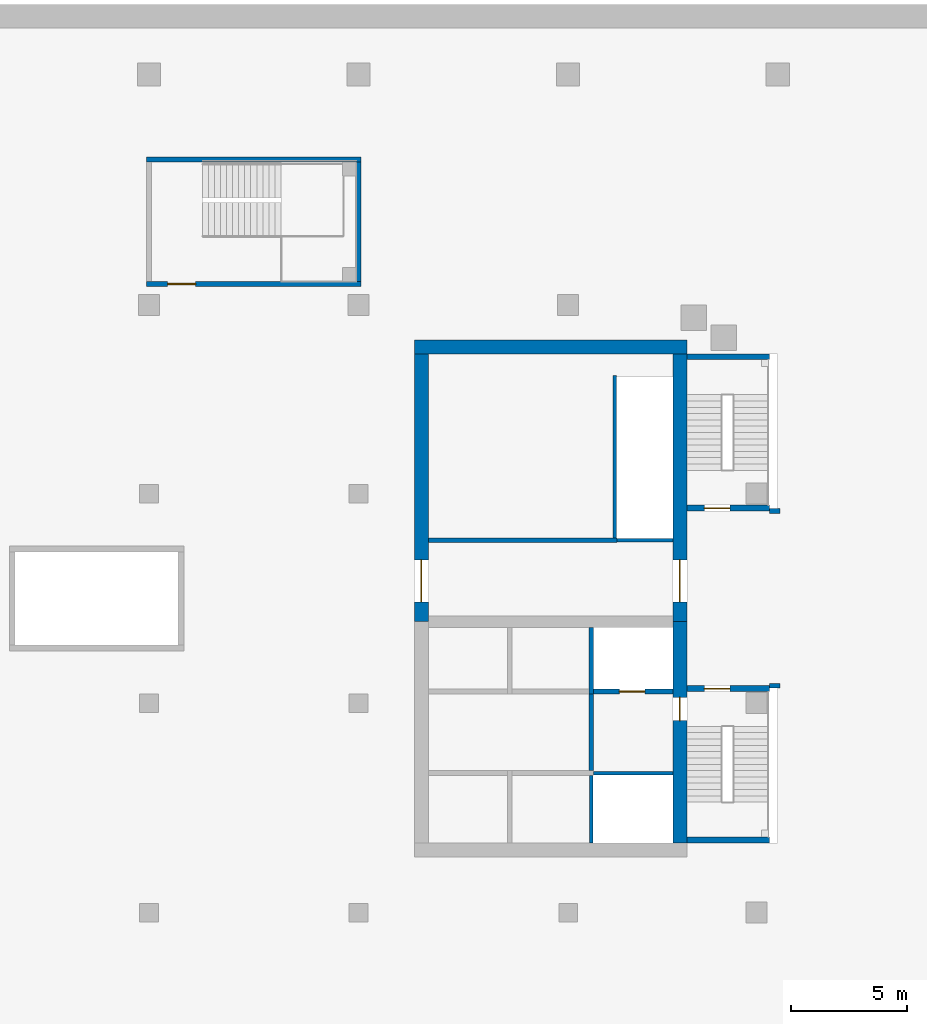
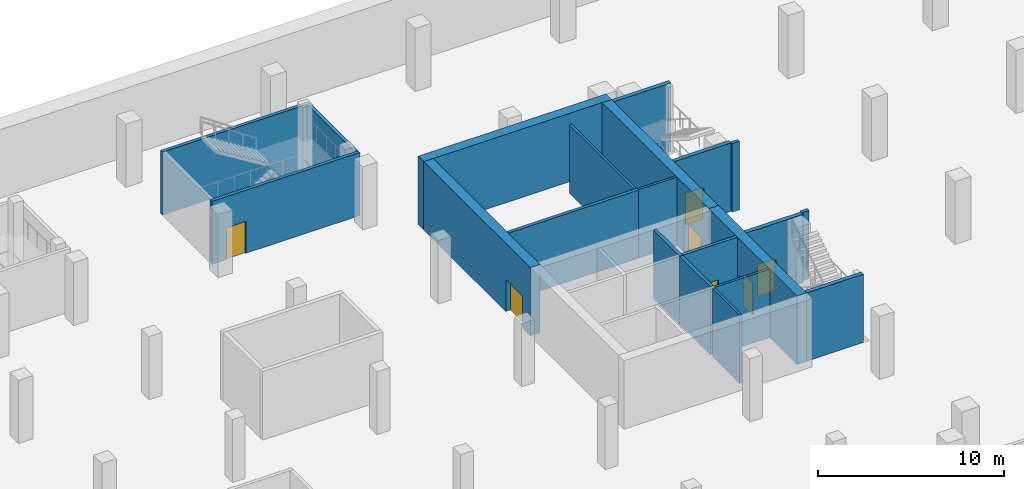
# One storey, part 5 of 16: 21 walls, 7 doors, 7 openings.
"""IFC4 building model written with IfcOpenShell, lengths in metres."""

import ifcopenshell
import ifcopenshell.guid

model = None  # the IFC model being written
_history = None  # IfcOwnerHistory: only IFC2X3 demands one
_inside = {}  # id of a spatial element -> (the spatial element, [elements in it])
_under = {}  # id of a project, library or spatial element -> (it, [spatial elements below it])
_declared = {}  # id of a project -> (the project, [libraries it declares])
_typed = {}  # id of a type object -> (the type object, [elements of that type])
_made_of = {}  # id of a material, layer set ... -> (it, [elements and type objects made of it])


def new_model(schema):
    """Start an empty IFC model of exactly this schema.

    Asked for "IFC4X3", IfcOpenShell would pick the latest addendum, in which some entities
    have other attributes; the version numbers below select the first issue.
    IFC2X3 requires an IfcOwnerHistory on every rooted entity: one is made here for all.
    """
    global model, _history
    if schema == "IFC4X3":
        model = ifcopenshell.file(schema_version=(4, 3, 0, 0))
    else:
        model = ifcopenshell.file(schema=schema)
    _inside.clear()
    _under.clear()
    _declared.clear()
    _typed.clear()
    _made_of.clear()
    _history = None
    if model.schema == "IFC2X3":
        org = make("IfcOrganization", Name="unknown")
        user = make(
            "IfcPersonAndOrganization",
            ThePerson=make("IfcPerson", FamilyName="unknown"),
            TheOrganization=org,
        )
        app = make(
            "IfcApplication",
            ApplicationDeveloper=org,
            Version="unknown",
            ApplicationFullName="unknown",
            ApplicationIdentifier="unknown",
        )
        _history = make(
            "IfcOwnerHistory",
            OwningUser=user,
            OwningApplication=app,
            ChangeAction="ADDED",
            CreationDate=0,
        )
    return model


def make(cls, **values):
    """One entity of the class cls with the attributes given. An attribute that is None is left unset."""
    return model.create_entity(
        cls, **{name: value for name, value in values.items() if value is not None}
    )


def rooted(cls, **values):
    """An entity with a GlobalId (a new one), such as an element, a storey or a relation."""
    return make(cls, GlobalId=ifcopenshell.guid.new(), OwnerHistory=_history, **values)


def si_unit(unit_type, name, prefix=None):
    """IfcSIUnit, for example si_unit("LENGTHUNIT", "METRE", prefix="MILLI")."""
    return make("IfcSIUnit", UnitType=unit_type, Prefix=prefix, Name=name)


def assignment(units):
    """IfcUnitAssignment: the units of a project."""
    return None if units is None else make("IfcUnitAssignment", Units=units)


def point(xyz):
    """IfcCartesianPoint."""
    return None if xyz is None else make("IfcCartesianPoint", Coordinates=xyz)


def direction(xyz):
    """IfcDirection."""
    return None if xyz is None else make("IfcDirection", DirectionRatios=xyz)


def frame(location, z_axis=None, x_axis=None):
    """IfcAxis2Placement3D, a coordinate frame: its origin and axes. An axis left out is left unset."""
    return make(
        "IfcAxis2Placement3D",
        Location=point(location),
        Axis=direction(z_axis),
        RefDirection=direction(x_axis),
    )


def frame_2d(location, x_axis=None):
    """IfcAxis2Placement2D, a coordinate frame in the plane: its origin and x axis."""
    return make(
        "IfcAxis2Placement2D", Location=point(location), RefDirection=direction(x_axis)
    )


def origin():
    """The frame at (0, 0, 0) with its axes left unset."""
    return frame((0.0, 0.0, 0.0))


def place(relative_to, where):
    """IfcLocalPlacement: puts the frame where relative to a parent placement (None: the world)."""
    return make(
        "IfcLocalPlacement", PlacementRelTo=relative_to, RelativePlacement=where
    )


def context(
    kind, dimensions, precision=None, world=None, true_north=None, identifier=None
):
    """IfcGeometricRepresentationContext, for example the 3D "Model" context."""
    return make(
        "IfcGeometricRepresentationContext",
        ContextIdentifier=identifier,
        ContextType=kind,
        CoordinateSpaceDimension=dimensions,
        Precision=precision,
        WorldCoordinateSystem=world,
        TrueNorth=true_north,
    )


def subcontext(parent, identifier, kind, view, scale=None):
    """IfcGeometricRepresentationSubContext, for example "Body" below "Model"."""
    return make(
        "IfcGeometricRepresentationSubContext",
        ContextIdentifier=identifier,
        ContextType=kind,
        ParentContext=parent,
        TargetScale=scale,
        TargetView=view,
    )


def project(units=None, contexts=None):
    """IfcProject with its units and contexts."""
    return rooted(
        "IfcProject",
        Name="project",
        RepresentationContexts=contexts,
        UnitsInContext=assignment(units),
    )


def spatial(cls, under=None, at=None, **own):
    """A site, building, storey or space (cls), placed at a placement, below another one or the project."""
    s = rooted(cls, ObjectPlacement=at, **own)
    if under is not None:
        _under.setdefault(under.id(), (under, []))[1].append(s)
    return s


def profile(cls, at=None, kind="AREA", **sizes):
    """A parametric profile (cls). Its sizes go by their IFC names, for example OverallWidth=200.0."""
    return make(cls, ProfileType=kind, Position=at, **sizes)


def rectangle(**sizes):
    """IfcRectangleProfileDef."""
    return profile("IfcRectangleProfileDef", **sizes)


def extrude(swept, where, along, depth):
    """IfcExtrudedAreaSolid: the profile swept, set in the frame where, extruded along a direction by depth."""
    return make(
        "IfcExtrudedAreaSolid",
        SweptArea=swept,
        Position=where,
        ExtrudedDirection=direction(along),
        Depth=depth,
    )


def shape(context_of_items, identifier, shape_type, items):
    """IfcShapeRepresentation: the items that make up one representation, for example the "Body"."""
    return make(
        "IfcShapeRepresentation",
        ContextOfItems=context_of_items,
        RepresentationIdentifier=identifier,
        RepresentationType=shape_type,
        Items=items,
    )


def material(Name=None, Category=None):
    """IfcMaterial."""
    return make("IfcMaterial", Name=Name, Category=Category)


def layer(
    of_material, thickness, ventilated=None, Name=None, Category=None, Priority=None
):
    """IfcMaterialLayer: one layer of a wall or slab, of a material (None: an air gap)."""
    return make(
        "IfcMaterialLayer",
        Material=of_material,
        LayerThickness=thickness,
        IsVentilated=ventilated,
        Name=Name,
        Category=Category,
        Priority=Priority,
    )


def layer_set(layers, Name=None):
    """IfcMaterialLayerSet."""
    return make("IfcMaterialLayerSet", MaterialLayers=layers, LayerSetName=Name)


def made_of(thing, what):
    """Note that an element or type object is made of a material, layer set ...; save() writes the relation."""
    if what is not None:
        _made_of.setdefault(what.id(), (what, []))[1].append(thing)
    return thing


def type_object(cls, material=None, **own):
    """A type object (cls), such as IfcWallType, which elements share."""
    return made_of(rooted(cls, **own), material)


def element(
    cls,
    number,
    at=None,
    inside=None,
    cuts=None,
    type_object=None,
    material=None,
    context=None,
    identifier="Body",
    shape_type=None,
    held_by="IfcProductDefinitionShape",
    body=None,
    shapes=None,
    **own,
):
    """One element of the class cls, such as IfcWall. Its Tag is "e" and its number.

    at: its placement. inside: the storey or other place that contains it. cuts: it is an
    opening in that element (IfcRelVoidsElement). A single representation is given by context,
    identifier, shape_type and body (its items); several are given by shapes. held_by: the class
    of the entity that holds the representations. save() writes the other relations.
    """
    e = rooted(cls, Tag="e%d" % number, ObjectPlacement=at, **own)
    if body is not None:
        shapes = [shape(context, identifier, shape_type, body)]
    if shapes is not None:
        e.Representation = make(held_by, Representations=shapes)
    if inside is not None:
        _inside.setdefault(inside.id(), (inside, []))[1].append(e)
    if cuts is not None:
        rooted(
            "IfcRelVoidsElement", RelatingBuildingElement=cuts, RelatedOpeningElement=e
        )
    if type_object is not None:
        _typed.setdefault(type_object.id(), (type_object, []))[1].append(e)
    return made_of(e, material)


def fill(opening, filler):
    """IfcRelFillsElement: the door or window that sits in an opening."""
    return rooted(
        "IfcRelFillsElement",
        RelatingOpeningElement=opening,
        RelatedBuildingElement=filler,
    )


def aggregate(whole, parts):
    """IfcRelAggregates: a whole, such as a stair, and the parts it consists of."""
    return rooted("IfcRelAggregates", RelatingObject=whole, RelatedObjects=parts)


def save(model, path):
    """Write the relations noted so far, then the file.

    IfcRelAggregates (storeys below a building ...), IfcRelContainedInSpatialStructure (elements
    in a storey), IfcRelDefinesByType, IfcRelAssociatesMaterial and IfcRelDeclares: one each for
    every whole, place, type object, material and project.
    """
    for whole, parts in _under.values():
        aggregate(whole, parts)
    for where, things in _inside.values():
        rooted(
            "IfcRelContainedInSpatialStructure",
            RelatedElements=things,
            RelatingStructure=where,
        )
    for kind, things in _typed.values():
        rooted("IfcRelDefinesByType", RelatedObjects=things, RelatingType=kind)
    for what, things in _made_of.values():
        rooted("IfcRelAssociatesMaterial", RelatedObjects=things, RelatingMaterial=what)
    for by, libraries in _declared.values():
        rooted("IfcRelDeclares", RelatingContext=by, RelatedDefinitions=libraries)
    model.write(path)


model = new_model("IFC4")

# Units and contexts
model_context = context("Model", 3, precision=1e-05, world=origin(), true_north=direction((0.0, 1.0)))
body_context = subcontext(model_context, "Body", "Model", "MODEL_VIEW")
ifc_project = project(units=[si_unit("LENGTHUNIT", "METRE"), si_unit("AREAUNIT", "SQUARE_METRE"), si_unit("VOLUMEUNIT", "CUBIC_METRE"), si_unit("PLANEANGLEUNIT", "RADIAN"), si_unit("MASSUNIT", "GRAM", prefix="KILO")], contexts=[model_context])

# Site, building, storey
site_placement = place(None, origin())
site = spatial("IfcSite", under=ifc_project, at=site_placement, CompositionType="ELEMENT")
building_placement = place(site_placement, origin())
building = spatial("IfcBuilding", under=site, at=building_placement, Name="Cinnabar Reach Civic Tower", CompositionType="ELEMENT")
storey_placement = place(building_placement, frame((0.0, 0.0, -9.5)))
storey = spatial("IfcBuildingStorey", under=building, at=storey_placement, Name="B2", CompositionType="ELEMENT", Elevation=-9.5)

# Wall
ifc_material_1 = material(Name="Concrete C70", Category="concrete")
ifc_layer_1 = layer(ifc_material_1, 0.6)
ifc_layer_set_1 = layer_set([ifc_layer_1], Name="Core wall 600 EI 180")
wall_type_1 = type_object("IfcWallType", Name="Core wall 600 EI 180", PredefinedType="SOLIDWALL", material=ifc_layer_set_1)
wall_1_placement = place(storey_placement, frame((-30.9, 42.3, 0.0), z_axis=(0.0, 0.0, 1.0), x_axis=(-1.0, 0.0, 0.0)))
element("IfcWall", 1, at=wall_1_placement, inside=storey, type_object=wall_type_1, Name="Core wall T2 B2 N", PredefinedType="SOLIDWALL", context=body_context, shape_type="SweptSolid", body=[
    extrude(rectangle(XDim=11.7, YDim=0.6, at=frame_2d((5.85, 0.0))), origin(), (0.0, 0.0, 1.0), 4.5),
])

# Wall, opening, door
wall_2_placement = place(storey_placement, frame((-31.2, 21.0, 0.0), z_axis=(0.0, 0.0, 1.0), x_axis=(0.0, 1.0, 0.0)))
wall_2 = element("IfcWall", 2, at=wall_2_placement, inside=storey, type_object=wall_type_1, Name="Core wall T2 B2 E", PredefinedType="SOLIDWALL", context=body_context, shape_type="SweptSolid", body=[
    extrude(rectangle(XDim=9.5, YDim=0.6, at=frame_2d((4.75, 0.0))), origin(), (0.0, 0.0, 1.0), 4.5),
])
opening_1_placement = place(wall_2_placement, frame((5.25, 0.0, 0.0)))
opening_1 = element("IfcOpeningElement", 3, at=opening_1_placement, cuts=wall_2, Name="Opening D6007", PredefinedType="OPENING", context=body_context, shape_type="SweptSolid", body=[
    extrude(rectangle(XDim=1.0, YDim=2.1, at=frame_2d((0.5, 1.05))), frame((0.0, 0.31, 0.0), z_axis=(0.0, -1.0, 0.0), x_axis=(1.0, 0.0, 0.0)), (0.0, 0.0, 1.0), 0.62),
])
ifc_material_2 = material(Name="Steel fire door", Category="steel")
door_type_1 = type_object("IfcDoorType", Name="T2 Firefighting lobby door 1000", OperationType="SINGLE_SWING_LEFT", PredefinedType="DOOR", material=ifc_material_2)
door_1_placement = place(opening_1_placement, frame((1.0, 0.0, 0.0), z_axis=(0.0, 0.0, 1.0), x_axis=(-1.0, 0.0, 0.0)))
door_1 = element("IfcDoor", 4, at=door_1_placement, inside=storey, type_object=door_type_1, Name="T2 Firefighting lobby door D6007", OperationType="SINGLE_SWING_LEFT", OverallHeight=2.1, OverallWidth=1.0, PredefinedType="DOOR", context=body_context, shape_type="SweptSolid", body=[
    extrude(rectangle(XDim=1.0, YDim=2.1, at=frame_2d((0.5, 1.05))), frame((0.0, 0.025, 0.0), z_axis=(0.0, -1.0, 0.0), x_axis=(1.0, 0.0, 0.0)), (0.0, 0.0, 1.0), 0.05),
])
fill(opening_1, door_1)

wall_3_placement = place(storey_placement, frame((-31.2, 30.5, 0.0), z_axis=(0.0, 0.0, 1.0), x_axis=(0.0, 1.0, 0.0)))
wall_3 = element("IfcWall", 5, at=wall_3_placement, inside=storey, type_object=wall_type_1, Name="Core wall T2 B2 E2", PredefinedType="SOLIDWALL", context=body_context, shape_type="SweptSolid", body=[
    extrude(rectangle(XDim=11.5, YDim=0.6, at=frame_2d((5.75, 0.0))), origin(), (0.0, 0.0, 1.0), 4.5),
])
opening_2_placement = place(wall_3_placement, frame((0.85, 0.0, 0.0)))
opening_2 = element("IfcOpeningElement", 6, at=opening_2_placement, cuts=wall_3, Name="Opening D6010", PredefinedType="OPENING", context=body_context, shape_type="SweptSolid", body=[
    extrude(rectangle(XDim=1.8, YDim=2.1, at=frame_2d((0.9, 1.05))), frame((0.0, 0.31, 0.0), z_axis=(0.0, -1.0, 0.0), x_axis=(1.0, 0.0, 0.0)), (0.0, 0.0, 1.0), 0.62),
])
door_type_2 = type_object("IfcDoorType", Name="T2 Double door 1800", OperationType="DOUBLE_DOOR_SINGLE_SWING", PredefinedType="DOOR", material=ifc_material_2)
door_2_placement = place(opening_2_placement, origin())
door_2 = element("IfcDoor", 7, at=door_2_placement, inside=storey, type_object=door_type_2, Name="T2 Double door D6010", OperationType="DOUBLE_DOOR_SINGLE_SWING", OverallHeight=2.1, OverallWidth=1.8, PredefinedType="DOOR", context=body_context, shape_type="SweptSolid", body=[
    extrude(rectangle(XDim=1.8, YDim=2.1, at=frame_2d((0.9, 1.05))), frame((0.0, 0.025, 0.0), z_axis=(0.0, -1.0, 0.0), x_axis=(1.0, 0.0, 0.0)), (0.0, 0.0, 1.0), 0.05),
])
fill(opening_2, door_2)

wall_4_placement = place(storey_placement, frame((-42.3, 42.0, 0.0), z_axis=(0.0, 0.0, 1.0), x_axis=(0.0, -1.0, 0.0)))
wall_4 = element("IfcWall", 8, at=wall_4_placement, inside=storey, type_object=wall_type_1, Name="Core wall T2 B2 W", PredefinedType="SOLIDWALL", context=body_context, shape_type="SweptSolid", body=[
    extrude(rectangle(XDim=11.5, YDim=0.6, at=frame_2d((5.75, 0.0))), origin(), (0.0, 0.0, 1.0), 4.5),
])
opening_3_placement = place(wall_4_placement, frame((8.85, 0.0, 0.0)))
opening_3 = element("IfcOpeningElement", 9, at=opening_3_placement, cuts=wall_4, Name="Opening D6011", PredefinedType="OPENING", context=body_context, shape_type="SweptSolid", body=[
    extrude(rectangle(XDim=1.8, YDim=2.1, at=frame_2d((0.9, 1.05))), frame((0.0, 0.31, 0.0), z_axis=(0.0, -1.0, 0.0), x_axis=(1.0, 0.0, 0.0)), (0.0, 0.0, 1.0), 0.62),
])
door_3_placement = place(opening_3_placement, frame((1.8, 0.0, 0.0), z_axis=(0.0, 0.0, 1.0), x_axis=(-1.0, 0.0, 0.0)))
door_3 = element("IfcDoor", 10, at=door_3_placement, inside=storey, type_object=door_type_2, Name="T2 Double door D6011", OperationType="DOUBLE_DOOR_SINGLE_SWING", OverallHeight=2.1, OverallWidth=1.8, PredefinedType="DOOR", context=body_context, shape_type="SweptSolid", body=[
    extrude(rectangle(XDim=1.8, YDim=2.1, at=frame_2d((0.9, 1.05))), frame((0.0, 0.025, 0.0), z_axis=(0.0, -1.0, 0.0), x_axis=(1.0, 0.0, 0.0)), (0.0, 0.0, 1.0), 0.05),
])
fill(opening_3, door_3)

# Walls
ifc_material_3 = material(Name="Concrete C40", Category="concrete")
ifc_layer_2 = layer(ifc_material_3, 0.2)
ifc_layer_set_2 = layer_set([ifc_layer_2], Name="Podium stair shaft wall 200 EI 120")
wall_type_2 = type_object("IfcWallType", Name="Podium stair shaft wall 200 EI 120", PredefinedType="SOLIDWALL", material=ifc_layer_set_2)
wall_5_placement = place(storey_placement, frame((-54.1, 50.35, 0.0), z_axis=(0.0, 0.0, 1.0), x_axis=(1.0, 0.0, 0.0)))
element("IfcWall", 11, at=wall_5_placement, inside=storey, type_object=wall_type_2, Name="Wall B2 25", PredefinedType="SOLIDWALL", context=body_context, shape_type="SweptSolid", body=[
    extrude(rectangle(XDim=9.2, YDim=0.2, at=frame_2d((4.6, 0.0))), origin(), (0.0, 0.0, 1.0), 4.15),
])
wall_6_placement = place(storey_placement, frame((-45.0, 45.1, 0.0), z_axis=(0.0, 0.0, 1.0), x_axis=(0.0, 1.0, 0.0)))
element("IfcWall", 12, at=wall_6_placement, inside=storey, type_object=wall_type_2, Name="Wall B2 26", PredefinedType="SOLIDWALL", context=body_context, shape_type="SweptSolid", body=[
    extrude(rectangle(XDim=5.15, YDim=0.2, at=frame_2d((2.575, 0.0))), origin(), (0.0, 0.0, 1.0), 4.15),
])

# Wall, opening, door
wall_7_placement = place(storey_placement, frame((-54.1, 45.0, 0.0), z_axis=(0.0, 0.0, 1.0), x_axis=(1.0, 0.0, 0.0)))
wall_7 = element("IfcWall", 13, at=wall_7_placement, inside=storey, type_object=wall_type_2, Name="Wall B2 27", PredefinedType="SOLIDWALL", context=body_context, shape_type="SweptSolid", body=[
    extrude(rectangle(XDim=9.2, YDim=0.2, at=frame_2d((4.6, 0.0))), origin(), (0.0, 0.0, 1.0), 4.15),
])
opening_4_placement = place(wall_7_placement, frame((0.9, 0.0, 0.0)))
opening_4 = element("IfcOpeningElement", 14, at=opening_4_placement, cuts=wall_7, Name="Opening D1310", PredefinedType="OPENING", context=body_context, shape_type="SweptSolid", body=[
    extrude(rectangle(XDim=1.2, YDim=2.1, at=frame_2d((0.6, 1.05))), frame((0.0, 0.11, 0.0), z_axis=(0.0, -1.0, 0.0), x_axis=(1.0, 0.0, 0.0)), (0.0, 0.0, 1.0), 0.22),
])
ifc_material_4 = material(Name="Painted steel door leaf", Category="steel")
door_type_3 = type_object("IfcDoorType", Name="Podium single door 1200x2100", OperationType="SINGLE_SWING_LEFT", PredefinedType="DOOR", material=ifc_material_4)
door_4_placement = place(opening_4_placement, origin())
door_4 = element("IfcDoor", 15, at=door_4_placement, inside=storey, type_object=door_type_3, Name="Door D1310", OperationType="SINGLE_SWING_RIGHT", OverallHeight=2.1, OverallWidth=1.2, PredefinedType="DOOR", context=body_context, shape_type="SweptSolid", body=[
    extrude(rectangle(XDim=1.2, YDim=2.1, at=frame_2d((0.6, 1.05))), frame((0.0, 0.025, 0.0), z_axis=(0.0, -1.0, 0.0), x_axis=(1.0, 0.0, 0.0)), (0.0, 0.0, 1.0), 0.05),
])
fill(opening_4, door_4)

# Wall
ifc_material_5 = material(Name="Concrete C60", Category="concrete")
ifc_layer_3 = layer(ifc_material_5, 0.25)
ifc_layer_set_3 = layer_set([ifc_layer_3], Name="Stair shaft wall 250 EI 120")
wall_type_3 = type_object("IfcWallType", Name="Stair shaft wall 250 EI 120", PredefinedType="SOLIDWALL", material=ifc_layer_set_3)
wall_8_placement = place(storey_placement, frame((-30.9, 21.125, 0.0), z_axis=(0.0, 0.0, 1.0), x_axis=(1.0, 0.0, 0.0)))
element("IfcWall", 16, at=wall_8_placement, inside=storey, type_object=wall_type_3, Name="Stair shaft wall T2-S1 B2", PredefinedType="SOLIDWALL", context=body_context, shape_type="SweptSolid", body=[
    extrude(rectangle(XDim=3.54, YDim=0.25, at=frame_2d((1.77, 0.0))), origin(), (0.0, 0.0, 1.0), 4.5),
])

# Wall, opening, door
wall_9_placement = place(storey_placement, frame((-27.36, 27.625, 0.0), z_axis=(0.0, 0.0, 1.0), x_axis=(-1.0, 0.0, 0.0)))
wall_9 = element("IfcWall", 17, at=wall_9_placement, inside=storey, type_object=wall_type_3, Name="Stair shaft wall T2-S1 B2", PredefinedType="SOLIDWALL", context=body_context, shape_type="SweptSolid", body=[
    extrude(rectangle(XDim=3.54, YDim=0.25, at=frame_2d((1.77, 0.0))), origin(), (0.0, 0.0, 1.0), 4.5),
])
opening_5_placement = place(wall_9_placement, frame((1.69, 0.0, 0.0)))
opening_5 = element("IfcOpeningElement", 18, at=opening_5_placement, cuts=wall_9, Name="Opening D6008", PredefinedType="OPENING", context=body_context, shape_type="SweptSolid", body=[
    extrude(rectangle(XDim=1.1, YDim=2.1, at=frame_2d((0.55, 1.05))), frame((0.0, 0.135, 0.0), z_axis=(0.0, -1.0, 0.0), x_axis=(1.0, 0.0, 0.0)), (0.0, 0.0, 1.0), 0.27),
])
door_type_4 = type_object("IfcDoorType", Name="T2 Stair door 1100", OperationType="SINGLE_SWING_LEFT", PredefinedType="DOOR", material=ifc_material_2)
door_5_placement = place(opening_5_placement, origin())
door_5 = element("IfcDoor", 19, at=door_5_placement, inside=storey, type_object=door_type_4, Name="T2 Stair door D6008", OperationType="SINGLE_SWING_RIGHT", OverallHeight=2.1, OverallWidth=1.1, PredefinedType="DOOR", context=body_context, shape_type="SweptSolid", body=[
    extrude(rectangle(XDim=1.1, YDim=2.1, at=frame_2d((0.55, 1.05))), frame((0.0, 0.025, 0.0), z_axis=(0.0, -1.0, 0.0), x_axis=(1.0, 0.0, 0.0)), (0.0, 0.0, 1.0), 0.05),
])
fill(opening_5, door_5)

wall_10_placement = place(storey_placement, frame((-30.9, 35.375, 0.0), z_axis=(0.0, 0.0, 1.0), x_axis=(1.0, 0.0, 0.0)))
wall_10 = element("IfcWall", 20, at=wall_10_placement, inside=storey, type_object=wall_type_3, Name="Stair shaft wall T2-S2 B2", PredefinedType="SOLIDWALL", context=body_context, shape_type="SweptSolid", body=[
    extrude(rectangle(XDim=3.54, YDim=0.25, at=frame_2d((1.77, 0.0))), origin(), (0.0, 0.0, 1.0), 4.5),
])
opening_6_placement = place(wall_10_placement, frame((0.75, 0.0, 0.0)))
opening_6 = element("IfcOpeningElement", 21, at=opening_6_placement, cuts=wall_10, Name="Opening D6009", PredefinedType="OPENING", context=body_context, shape_type="SweptSolid", body=[
    extrude(rectangle(XDim=1.1, YDim=2.1, at=frame_2d((0.55, 1.05))), frame((0.0, 0.135, 0.0), z_axis=(0.0, -1.0, 0.0), x_axis=(1.0, 0.0, 0.0)), (0.0, 0.0, 1.0), 0.27),
])
door_6_placement = place(opening_6_placement, origin())
door_6 = element("IfcDoor", 22, at=door_6_placement, inside=storey, type_object=door_type_4, Name="T2 Stair door D6009", OperationType="SINGLE_SWING_RIGHT", OverallHeight=2.1, OverallWidth=1.1, PredefinedType="DOOR", context=body_context, shape_type="SweptSolid", body=[
    extrude(rectangle(XDim=1.1, YDim=2.1, at=frame_2d((0.55, 1.05))), frame((0.0, 0.025, 0.0), z_axis=(0.0, -1.0, 0.0), x_axis=(1.0, 0.0, 0.0)), (0.0, 0.0, 1.0), 0.05),
])
fill(opening_6, door_6)

# Walls
wall_11_placement = place(storey_placement, frame((-27.36, 41.875, 0.0), z_axis=(0.0, 0.0, 1.0), x_axis=(-1.0, 0.0, 0.0)))
element("IfcWall", 23, at=wall_11_placement, inside=storey, type_object=wall_type_3, Name="Stair shaft wall T2-S2 B2", PredefinedType="SOLIDWALL", context=body_context, shape_type="SweptSolid", body=[
    extrude(rectangle(XDim=3.54, YDim=0.25, at=frame_2d((1.77, 0.0))), origin(), (0.0, 0.0, 1.0), 4.5),
])
ifc_layer_4 = layer(ifc_material_3, 0.15)
ifc_layer_set_4 = layer_set([ifc_layer_4], Name="T2 Riser wall 150")
wall_type_4 = type_object("IfcWallType", Name="T2 Riser wall 150", PredefinedType="SOLIDWALL", material=ifc_layer_set_4)
wall_12_placement = place(storey_placement, frame((-35.0, 21.0, 0.0), z_axis=(0.0, 0.0, 1.0), x_axis=(0.0, 1.0, 0.0)))
element("IfcWall", 24, at=wall_12_placement, inside=storey, type_object=wall_type_4, Name="T2 Riser wall B2 013", PredefinedType="SOLIDWALL", context=body_context, shape_type="SweptSolid", body=[
    extrude(rectangle(XDim=2.9, YDim=0.15, at=frame_2d((1.45, 0.0))), origin(), (0.0, 0.0, 1.0), 4.5),
])
wall_13_placement = place(storey_placement, frame((-31.5, 24.0, 0.0), z_axis=(0.0, 0.0, 1.0), x_axis=(-1.0, 0.0, 0.0)))
element("IfcWall", 25, at=wall_13_placement, inside=storey, type_object=wall_type_4, Name="T2 Riser wall B2 014", PredefinedType="SOLIDWALL", context=body_context, shape_type="SweptSolid", body=[
    extrude(rectangle(XDim=3.4, YDim=0.15, at=frame_2d((1.7, 0.0))), origin(), (0.0, 0.0, 1.0), 4.5),
])
wall_14_placement = place(storey_placement, frame((-33.9, 34.0, 0.0), z_axis=(0.0, 0.0, 1.0), x_axis=(1.0, 0.0, 0.0)))
element("IfcWall", 26, at=wall_14_placement, inside=storey, type_object=wall_type_4, Name="T2 Riser wall B2 015", PredefinedType="SOLIDWALL", context=body_context, shape_type="SweptSolid", body=[
    extrude(rectangle(XDim=2.4, YDim=0.15, at=frame_2d((1.2, 0.0))), origin(), (0.0, 0.0, 1.0), 4.5),
])
wall_15_placement = place(storey_placement, frame((-34.0, 41.075, 0.0), z_axis=(0.0, 0.0, 1.0), x_axis=(0.0, -1.0, 0.0)))
element("IfcWall", 27, at=wall_15_placement, inside=storey, type_object=wall_type_4, Name="T2 Riser wall B2 016", PredefinedType="SOLIDWALL", context=body_context, shape_type="SweptSolid", body=[
    extrude(rectangle(XDim=6.975, YDim=0.15, at=frame_2d((3.4875, 0.0))), origin(), (0.0, 0.0, 1.0), 4.5),
])
ifc_layer_5 = layer(ifc_material_3, 0.2)
ifc_layer_set_5 = layer_set([ifc_layer_5], Name="T2 Shaft wall 200")
wall_type_5 = type_object("IfcWallType", Name="T2 Shaft wall 200", PredefinedType="SOLIDWALL", material=ifc_layer_set_5)
wall_16_placement = place(storey_placement, frame((-35.0, 27.4, 0.0), z_axis=(0.0, 0.0, 1.0), x_axis=(0.0, 1.0, 0.0)))
element("IfcWall", 28, at=wall_16_placement, inside=storey, type_object=wall_type_5, Name="T2 Shaft wall B2 006", PredefinedType="SOLIDWALL", context=body_context, shape_type="SweptSolid", body=[
    extrude(rectangle(XDim=2.85, YDim=0.2, at=frame_2d((1.425, 0.0))), origin(), (0.0, 0.0, 1.0), 4.5),
])

# Wall, opening, door
wall_17_placement = place(storey_placement, frame((-34.9, 27.5, 0.0), z_axis=(0.0, 0.0, 1.0), x_axis=(1.0, 0.0, 0.0)))
wall_17 = element("IfcWall", 29, at=wall_17_placement, inside=storey, type_object=wall_type_5, Name="T2 Shaft wall B2 008", PredefinedType="SOLIDWALL", context=body_context, shape_type="SweptSolid", body=[
    extrude(rectangle(XDim=3.4, YDim=0.2, at=frame_2d((1.7, 0.0))), origin(), (0.0, 0.0, 1.0), 4.5),
])
opening_7_placement = place(wall_17_placement, frame((1.1, 0.0, 0.0)))
opening_7 = element("IfcOpeningElement", 30, at=opening_7_placement, cuts=wall_17, Name="Opening D6006", PredefinedType="OPENING", context=body_context, shape_type="SweptSolid", body=[
    extrude(rectangle(XDim=1.1, YDim=2.1, at=frame_2d((0.55, 1.05))), frame((0.0, 0.11, 0.0), z_axis=(0.0, -1.0, 0.0), x_axis=(1.0, 0.0, 0.0)), (0.0, 0.0, 1.0), 0.22),
])
door_type_5 = type_object("IfcDoorType", Name="T2 Firefighting lift landing door 1100", OperationType="SLIDING_TO_LEFT", PredefinedType="DOOR", material=ifc_material_2)
door_7_placement = place(opening_7_placement, origin())
door_7 = element("IfcDoor", 31, at=door_7_placement, inside=storey, type_object=door_type_5, Name="T2 Firefighting lift landing door D6006", OperationType="SLIDING_TO_LEFT", OverallHeight=2.1, OverallWidth=1.1, PredefinedType="DOOR", context=body_context, shape_type="SweptSolid", body=[
    extrude(rectangle(XDim=1.1, YDim=2.1, at=frame_2d((0.55, 1.05))), frame((0.0, 0.025, 0.0), z_axis=(0.0, -1.0, 0.0), x_axis=(1.0, 0.0, 0.0)), (0.0, 0.0, 1.0), 0.05),
])
fill(opening_7, door_7)

# Walls
wall_18_placement = place(storey_placement, frame((-35.0, 24.1, 0.0), z_axis=(0.0, 0.0, 1.0), x_axis=(0.0, 1.0, 0.0)))
element("IfcWall", 32, at=wall_18_placement, inside=storey, type_object=wall_type_5, Name="T2 Shaft wall B2 009", PredefinedType="SOLIDWALL", context=body_context, shape_type="SweptSolid", body=[
    extrude(rectangle(XDim=3.3, YDim=0.2, at=frame_2d((1.65, 0.0))), origin(), (0.0, 0.0, 1.0), 4.5),
])
wall_19_placement = place(storey_placement, frame((-33.9, 34.0, 0.0), z_axis=(0.0, 0.0, 1.0), x_axis=(-1.0, 0.0, 0.0)))
element("IfcWall", 33, at=wall_19_placement, inside=storey, type_object=wall_type_5, Name="T2 Shaft wall B2 012", PredefinedType="SOLIDWALL", context=body_context, shape_type="SweptSolid", body=[
    extrude(rectangle(XDim=8.1, YDim=0.2, at=frame_2d((4.05, 0.0))), origin(), (0.0, 0.0, 1.0), 4.5),
])
ifc_layer_6 = layer(ifc_material_3, 0.2)
ifc_layer_set_6 = layer_set([ifc_layer_6], Name="T2 Stair enclosure wall 200")
wall_type_6 = type_object("IfcWallType", Name="T2 Stair enclosure wall 200", PredefinedType="SOLIDWALL", material=ifc_layer_set_6)
for number, where, z_axis, x_axis, name in (
    (34, (-27.36, 27.75, 0.0), (0.0, 0.0, 1.0), (1.0, 0.0, 0.0), "T2 Stair enclosure wall B2 010"),
    (35, (-26.9, 35.25, 0.0), (0.0, 0.0, 1.0), (-1.0, 0.0, 0.0), "T2 Stair enclosure wall B2 011"),
):
    element("IfcWall", number, at=place(storey_placement, frame(where, z_axis=z_axis, x_axis=x_axis)), inside=storey, type_object=wall_type_6, Name=name, PredefinedType="SOLIDWALL", context=body_context, shape_type="SweptSolid", body=[
        extrude(rectangle(XDim=0.46, YDim=0.2, at=frame_2d((0.23, 0.0))), origin(), (0.0, 0.0, 1.0), 4.5),
    ])

save(model, "model.ifc")
